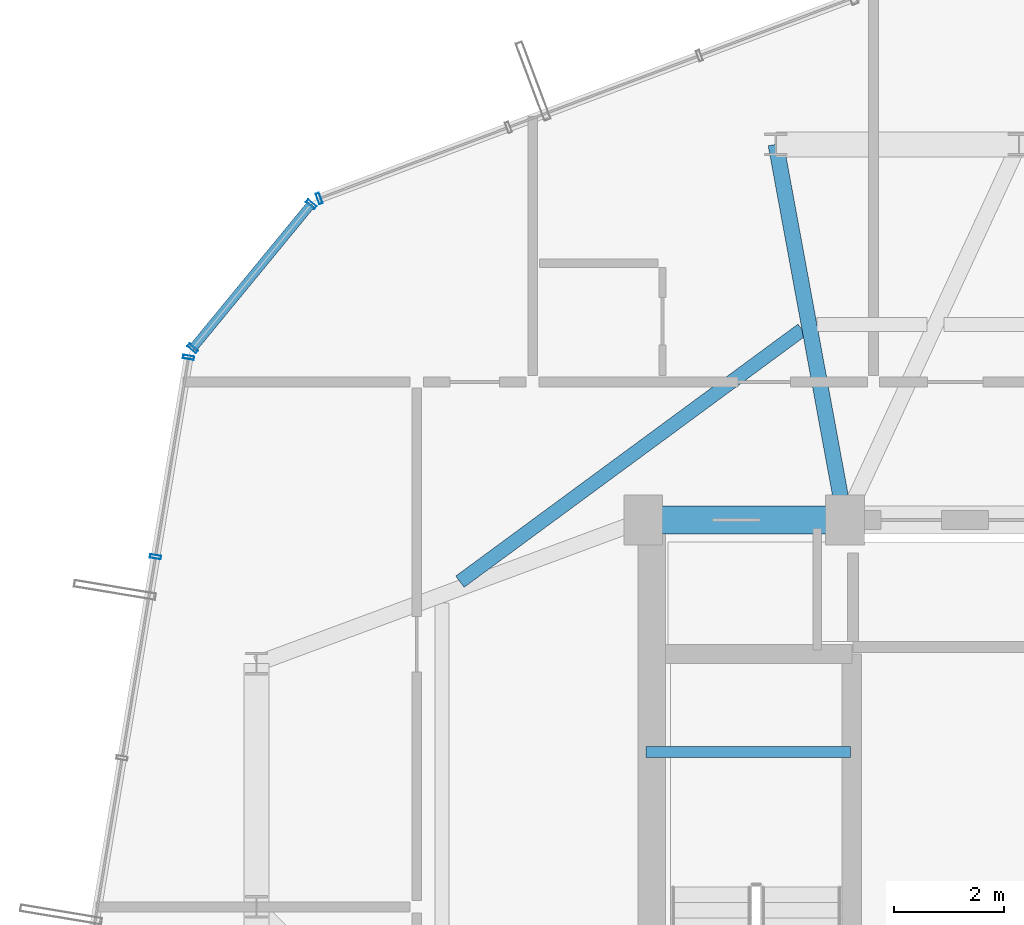
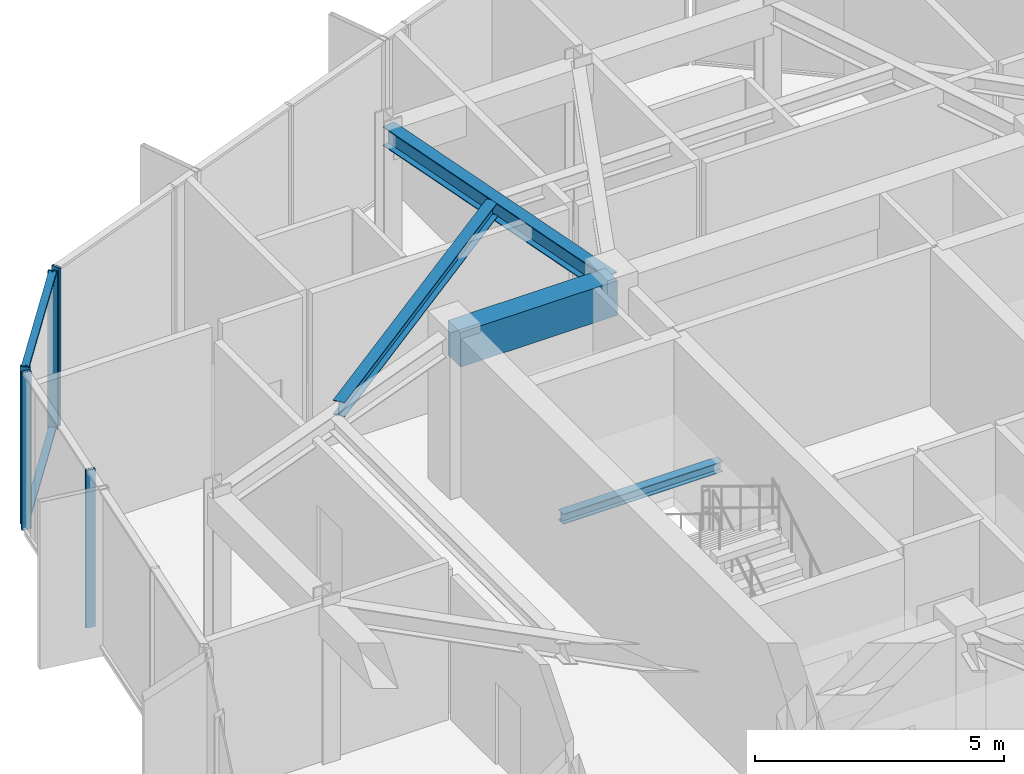
# One storey, part 10 of 22: 7 members, 4 beams, 3 elements without a shape of their own.
"""IFC4 building model written with IfcOpenShell, lengths in metres."""

from ifc_helpers import new_model, si_unit, direction, frame, origin, origin_2d, place, context, subcontext, project, spatial, rectangle, hollow_rectangle, i_section, extrude, source, transform, mapped, material, layer, layer_set, material_profile, profile_set, type_object, element, aggregate, save


model = new_model("IFC4")

# Units and contexts
model_context = context("Model", 3, precision=1e-05, world=origin(), true_north=direction((0.0, 1.0)))
body_context = subcontext(model_context, "Body", "Model", "MODEL_VIEW")
ifc_project = project(units=[si_unit("LENGTHUNIT", "METRE"), si_unit("AREAUNIT", "SQUARE_METRE"), si_unit("VOLUMEUNIT", "CUBIC_METRE"), si_unit("PLANEANGLEUNIT", "RADIAN"), si_unit("MASSUNIT", "GRAM", prefix="KILO")], contexts=[model_context])

# Site, building, storey
site_placement = place(None, origin())
site = spatial("IfcSite", under=ifc_project, at=site_placement, CompositionType="ELEMENT")
building_placement = place(site_placement, origin())
building = spatial("IfcBuilding", under=site, at=building_placement, Name="Veraguas Prism Commons", CompositionType="ELEMENT")
storey_placement = place(building_placement, frame((0.0, 0.0, 240.64990234375)))
storey = spatial("IfcBuildingStorey", under=building, at=storey_placement, Name="L68", CompositionType="ELEMENT", Elevation=240.64990234375)

# Beams
ifc_material_1 = material(Name="Concrete C50/60", Category="concrete")
ifc_material_profile_1 = material_profile(ifc_material_1, rectangle(XDim=0.5, YDim=0.85009765625, at=origin_2d()), Name="RC500X850")
ifc_profile_set_1 = profile_set([ifc_material_profile_1], Name="Concrete C50/60")
beam_type_1 = type_object("IfcBeamType", Name="Core Coupling Beam RC 500x850", PredefinedType="BEAM", material=ifc_profile_set_1)
beam_1_placement = place(storey_placement, frame((17.199951171875, 31.0, 3.440185546875), z_axis=(1.0, 0.0, 0.0), x_axis=(0.0, 1.0, 0.0)))
element("IfcBeam", 1, at=beam_1_placement, inside=storey, type_object=beam_type_1, Name="Core Coupling Beam L68-CRN1", PredefinedType="BEAM", context=body_context, shape_type="SweptSolid", body=[
    extrude(rectangle(XDim=0.5, YDim=0.85009765625, at=origin_2d()), origin(), (0.0, 0.0, 1.0), 3.650146484375),
])
ifc_material_2 = material(Name="Steel ASTM A992 Grade 50", Category="steel")
ifc_material_profile_2 = material_profile(ifc_material_2, i_section(OverallWidth=0.202880859375, OverallDepth=0.251953125, WebThickness=0.008056640625, FlangeThickness=0.013427734375, at=origin_2d()), Name="W250X58")
ifc_profile_set_2 = profile_set([ifc_material_profile_2], Name="Steel ASTM A992 Grade 50")
beam_type_2 = type_object("IfcBeamType", Name="Structural Opening Lintel W250x58", PredefinedType="LINTEL", material=ifc_profile_set_2)
beam_2_placement = place(storey_placement, frame((17.25, 26.800048828125, 1.72412109375), z_axis=(1.0, 0.0, 0.0), x_axis=(0.0, 1.0, 0.0)))
element("IfcBeam", 2, at=beam_2_placement, inside=storey, type_object=beam_type_2, Name="Stair ST-01 Half-Landing Support Beam L68-1", PredefinedType="LINTEL", context=body_context, shape_type="SweptSolid", body=[
    extrude(i_section(OverallWidth=0.202880859375, OverallDepth=0.251953125, WebThickness=0.008056640625, FlangeThickness=0.013427734375, at=origin_2d()), origin(), (0.0, 0.0, 1.0), 3.699951171875),
])
ifc_material_profile_3 = material_profile(ifc_material_2, i_section(OverallWidth=0.25390625, OverallDepth=0.35302734375, WebThickness=0.009521484375, FlangeThickness=0.016357421875, at=origin_2d()), Name="W360X91")
ifc_profile_set_3 = profile_set([ifc_material_profile_3], Name="Steel ASTM A992 Grade 50")
beam_type_3 = type_object("IfcBeamType", Name="Upper Floor Joist W360x91", PredefinedType="JOIST", material=ifc_profile_set_3)
beam_3_placement = place(storey_placement, frame((20.0751953125, 34.444091796875, 3.6884765625), z_axis=(-0.805319835229, -0.592840588174, 0.0), x_axis=(0.592840588174, -0.805319835229, 0.0)))
element("IfcBeam", 3, at=beam_3_placement, inside=storey, type_object=beam_type_3, Name="Composite Floor Joist L68-JS06", PredefinedType="JOIST", context=body_context, shape_type="SweptSolid", body=[
    extrude(i_section(OverallWidth=0.25390625, OverallDepth=0.35302734375, WebThickness=0.009521484375, FlangeThickness=0.016357421875, at=origin_2d()), origin(), (0.0, 0.0, 1.0), 7.69140625),
])
ifc_material_profile_4 = material_profile(ifc_material_2, i_section(OverallWidth=0.282958984375, OverallDepth=0.471923828125, WebThickness=0.013671875, FlangeThickness=0.022216796875, at=origin_2d()), Name="W460X144")
ifc_profile_set_4 = profile_set([ifc_material_profile_4], Name="Steel ASTM A992 Grade 50")
beam_type_4 = type_object("IfcBeamType", Name="Zone 4 Radial Girder W460x144", PredefinedType="BEAM", material=ifc_profile_set_4)
beam_4_placement = place(storey_placement, frame((19.60009765625, 37.800048828125, 3.629150390625), z_axis=(0.180793033327, -0.983521163524, 0.0), x_axis=(0.983521163524, 0.180793033327, 0.0)))
element("IfcBeam", 4, at=beam_4_placement, inside=storey, type_object=beam_type_4, Name="Radial Floor Girder L68-RD06", PredefinedType="BEAM", context=body_context, shape_type="SweptSolid", body=[
    extrude(i_section(OverallWidth=0.282958984375, OverallDepth=0.471923828125, WebThickness=0.013671875, FlangeThickness=0.022216796875, at=origin_2d()), origin(), (0.0, 0.0, 1.0), 6.9140625),
])

# Curtain wall, member
ifc_material_3 = material(Name="Anodised aluminium EN AW-6063 T6", Category="aluminium")
ifc_layer = layer(ifc_material_3, 0.199951171875, Name="Sky Lobby and Pool Acoustic Curtain Wall", Category="aluminium")
ifc_layer_set = layer_set([ifc_layer], Name="Anodised aluminium EN AW-6063 T6")
curtain_wall_type = type_object("IfcCurtainWallType", Name="Sky Lobby and Pool Acoustic Curtain Wall", PredefinedType="NOTDEFINED", material=ifc_layer_set)
curtain_wall_1_placement = place(storey_placement, origin())
curtain_wall_1 = element("IfcCurtainWall", 5, at=curtain_wall_1_placement, inside=storey, type_object=curtain_wall_type, Name="Tower Facade Curtain Wall L68-F2", PredefinedType="NOTDEFINED")
ifc_material_profile_5 = material_profile(ifc_material_3, hollow_rectangle(XDim=0.06494140625, YDim=0.199951171875, WallThickness=0.00390625, at=origin_2d()), Name="AL65X200X4")
ifc_profile_set_5 = profile_set([ifc_material_profile_5], Name="Anodised aluminium EN AW-6063 T6")
member_type_1 = type_object("IfcMemberType", Name="Curtain Wall Mullion Heavy AL 65x200x4", PredefinedType="MULLION", material=ifc_profile_set_5)
shared_shape_1 = source(origin(), body_context, "Body", "SweptSolid", [
    extrude(hollow_rectangle(XDim=0.06494140625, YDim=0.199951171875, WallThickness=0.00390625, at=origin_2d()), origin(), (0.0, 0.0, 1.0), 3.864990234375),
])
member_1_placement = place(storey_placement, frame((11.33447265625, 36.820556640625, 0.0), z_axis=(0.0, 0.0, 1.0), x_axis=(-0.936182294613, -0.351514880558, 0.0)))
member_1 = element("IfcMember", 6, at=member_1_placement, type_object=member_type_1, Name="CW-SKY Mullion 5", PredefinedType="MULLION", context=body_context, shape_type="MappedRepresentation", body=[
    mapped(shared_shape_1, transform((0.0, 0.0, 0.0), scale=1.0)),
])
aggregate(curtain_wall_1, [member_1])

# Curtain wall, members
curtain_wall_2_placement = place(storey_placement, origin())
curtain_wall_2 = element("IfcCurtainWall", 7, at=curtain_wall_2_placement, inside=storey, type_object=curtain_wall_type, Name="Tower Facade Curtain Wall L68-F3", PredefinedType="NOTDEFINED")
member_2_placement = place(storey_placement, frame((8.970458984375, 33.944580078125, 0.0), z_axis=(0.0, 0.0, 1.0), x_axis=(-0.163670330935, -0.986515089987, 0.0)))
member_2 = element("IfcMember", 8, at=member_2_placement, type_object=member_type_1, Name="CW-SKY Mullion 1", PredefinedType="MULLION", context=body_context, shape_type="MappedRepresentation", body=[
    mapped(shared_shape_1, transform((0.0, 0.0, 0.0), scale=1.0)),
])
member_3_placement = place(storey_placement, frame((8.37158203125, 30.3349609375, 0.0), z_axis=(0.0, 0.0, 1.0), x_axis=(-0.163670330935, -0.986515089987, 0.0)))
member_3 = element("IfcMember", 9, at=member_3_placement, type_object=member_type_1, Name="CW-SKY Mullion 2", PredefinedType="MULLION", context=body_context, shape_type="MappedRepresentation", body=[
    mapped(shared_shape_1, transform((0.0, 0.0, 0.0), scale=1.0)),
])
aggregate(curtain_wall_2, [member_2, member_3])

curtain_wall_3_placement = place(storey_placement, origin())
curtain_wall_3 = element("IfcCurtainWall", 10, at=curtain_wall_3_placement, inside=storey, type_object=curtain_wall_type, Name="Chamfer Curtain Wall L68-C3", PredefinedType="NOTDEFINED")
member_4_placement = place(storey_placement, frame((11.18896484375, 36.716552734375, 0.0), z_axis=(0.0, 0.0, 1.0), x_axis=(-0.63501234394, -0.772501989023, 0.0)))
member_4 = element("IfcMember", 11, at=member_4_placement, type_object=member_type_1, Name="CW-SKY Mullion 1", PredefinedType="MULLION", context=body_context, shape_type="MappedRepresentation", body=[
    mapped(shared_shape_1, transform((0.0, 0.0, 0.0), scale=1.0)),
])
member_5_placement = place(storey_placement, frame((9.04443359375, 34.107421875, 0.0), z_axis=(0.0, 0.0, 1.0), x_axis=(-0.63501234394, -0.772501989023, 0.0)))
member_5 = element("IfcMember", 12, at=member_5_placement, type_object=member_type_1, Name="CW-SKY Mullion 2", PredefinedType="MULLION", context=body_context, shape_type="MappedRepresentation", body=[
    mapped(shared_shape_1, transform((0.0, 0.0, 0.0), scale=1.0)),
])
ifc_material_profile_6 = material_profile(ifc_material_3, hollow_rectangle(XDim=0.06005859375, YDim=0.159912109375, WallThickness=0.0029296875, at=origin_2d()), Name="AL60X160X3")
ifc_profile_set_6 = profile_set([ifc_material_profile_6], Name="Anodised aluminium EN AW-6063 T6")
member_type_2 = type_object("IfcMemberType", Name="Curtain Wall Transom Heavy AL 60x160x3", PredefinedType="USERDEFINED", material=ifc_profile_set_6)
shared_shape_2 = source(origin(), body_context, "Body", "SweptSolid", [
    extrude(hollow_rectangle(XDim=0.06005859375, YDim=0.159912109375, WallThickness=0.0029296875, at=origin_2d()), origin(), (0.0, 0.0, 1.0), 3.37744140625),
])
member_6_placement = place(storey_placement, frame((11.18896484375, 36.716552734375, 0.030029296875), z_axis=(-0.634972167567, -0.772535013068, 0.0), x_axis=(0.0, 0.0, 1.0)))
member_6 = element("IfcMember", 13, at=member_6_placement, type_object=member_type_2, Name="CW-SKY Transom 1", ObjectType="TRANSOM", PredefinedType="USERDEFINED", context=body_context, shape_type="MappedRepresentation", body=[
    mapped(shared_shape_2, transform((0.0, 0.0, 0.0), scale=1.0)),
])
member_7_placement = place(storey_placement, frame((11.18896484375, 36.716552734375, 3.835205078125), z_axis=(-0.634972167567, -0.772535013068, 0.0), x_axis=(0.0, 0.0, 1.0)))
member_7 = element("IfcMember", 14, at=member_7_placement, type_object=member_type_2, Name="CW-SKY Transom 2", ObjectType="TRANSOM", PredefinedType="USERDEFINED", context=body_context, shape_type="MappedRepresentation", body=[
    mapped(shared_shape_2, transform((0.0, 0.0, 0.0), scale=1.0)),
])
aggregate(curtain_wall_3, [member_4, member_5, member_6, member_7])

save(model, "model.ifc")
